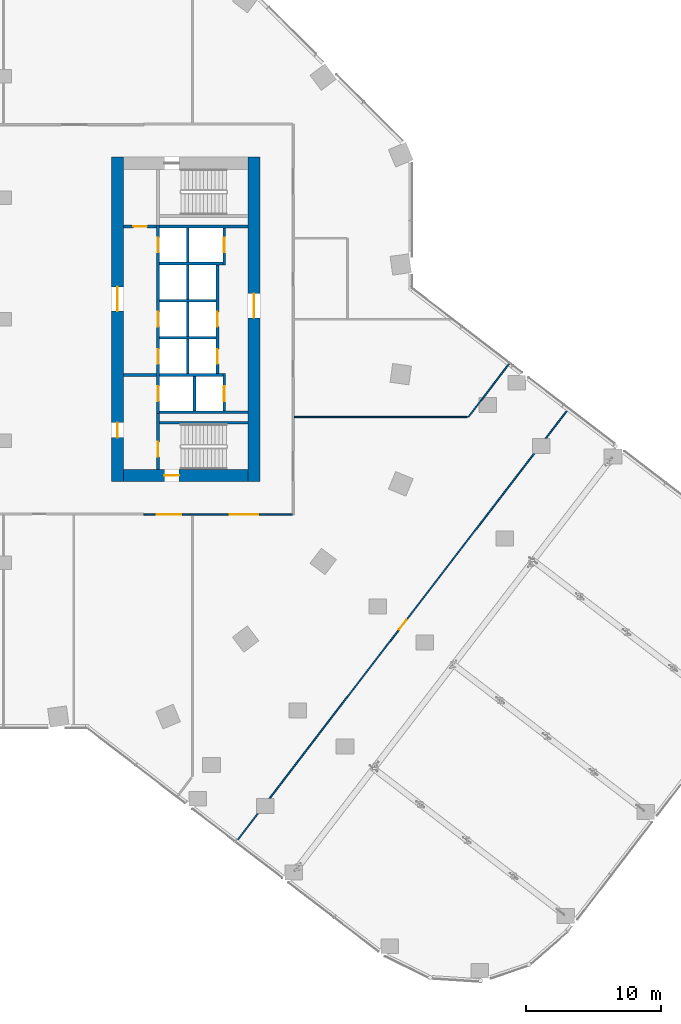
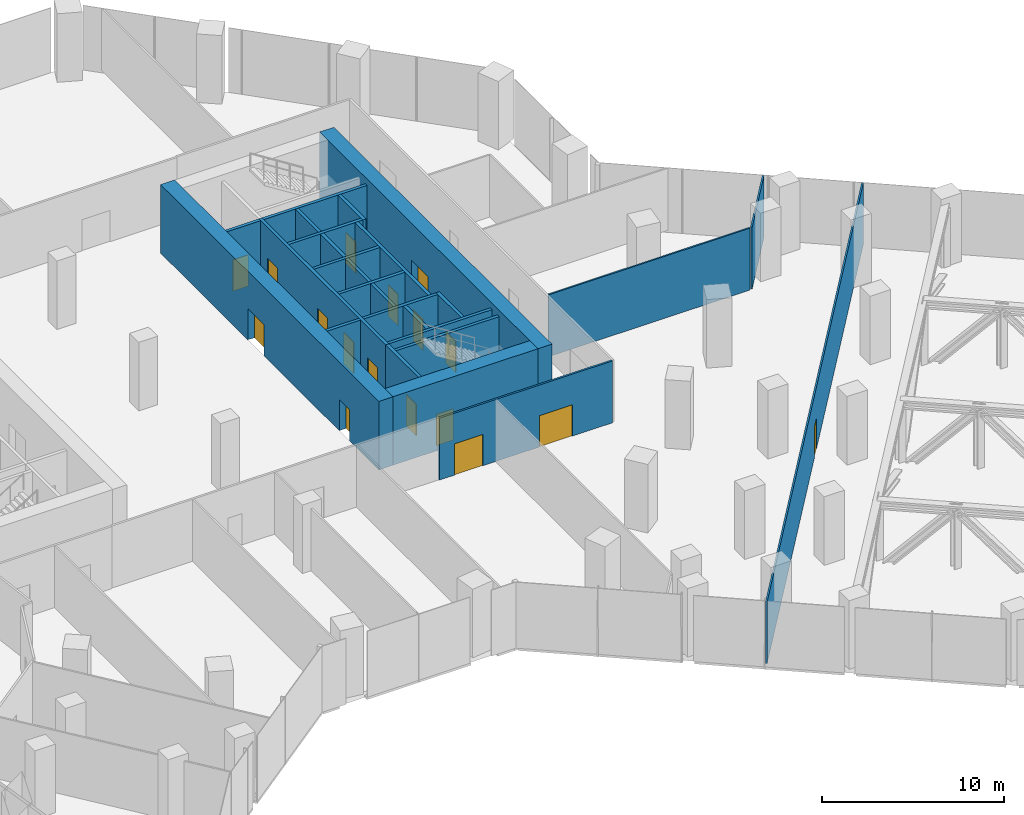
# One storey, part 26 of 30: 26 walls, 17 doors, 17 openings.
"""IFC4 building model written with IfcOpenShell, lengths in metres."""

from ifc_helpers import new_model, si_unit, direction, frame, frame_2d, origin, place, context, subcontext, project, spatial, rectangle, extrude, material, layer, layer_set, type_object, element, fill, save


model = new_model("IFC4")

# Units and contexts
model_context = context("Model", 3, precision=1e-05, world=origin(), true_north=direction((0.0, 1.0)))
body_context = subcontext(model_context, "Body", "Model", "MODEL_VIEW")
ifc_project = project(units=[si_unit("LENGTHUNIT", "METRE"), si_unit("AREAUNIT", "SQUARE_METRE"), si_unit("VOLUMEUNIT", "CUBIC_METRE"), si_unit("PLANEANGLEUNIT", "RADIAN"), si_unit("MASSUNIT", "GRAM", prefix="KILO")], contexts=[model_context])

# Site, building, storey
site_placement = place(None, origin())
site = spatial("IfcSite", under=ifc_project, at=site_placement, CompositionType="ELEMENT")
building_placement = place(site_placement, origin())
building = spatial("IfcBuilding", under=site, at=building_placement, Name="Orlundy Tower", CompositionType="ELEMENT")
storey_placement = place(building_placement, frame((0.0, 0.0, 20.5)))
storey = spatial("IfcBuildingStorey", under=building, at=storey_placement, Name="L03", CompositionType="ELEMENT", Elevation=20.5)

# Wall, opening, door
ifc_material_1 = material(Name="Concrete C80/95", Category="concrete")
ifc_layer_1 = layer(ifc_material_1, 0.89990234375)
ifc_layer_set_1 = layer_set([ifc_layer_1], Name="CORE WALL 900 C80/95")
wall_type_1 = type_object("IfcWallType", Name="CORE WALL 900 C80/95", PredefinedType="SHEAR", material=ifc_layer_set_1)
wall_1_placement = place(storey_placement, frame((8.89990234375, -11.550048828125, 0.0), z_axis=(0.0, 0.0, 1.0), x_axis=(1.0, 0.0, 0.0)))
wall_1 = element("IfcWall", 1, at=wall_1_placement, inside=storey, type_object=wall_type_1, Name="Core wall E-S L03", PredefinedType="SHEAR", context=body_context, shape_type="SweptSolid", body=[
    extrude(rectangle(XDim=9.2001953125, YDim=0.89990234375, at=frame_2d((4.60009765625, 0.0))), origin(), (0.0, 0.0, 1.0), 4.60009765625),
])
opening_1_placement = place(wall_1_placement, frame((3.0, 0.0, 0.0)))
opening_1 = element("IfcOpeningElement", 2, at=opening_1_placement, cuts=wall_1, Name="Opening 04061", PredefinedType="OPENING", context=body_context, shape_type="SweptSolid", body=[
    extrude(rectangle(XDim=1.10009765625, YDim=2.10009765625, at=frame_2d((0.550048828125, 1.050048828125))), frame((0.0, 0.4599609375, 0.0), z_axis=(0.0, -1.0, 0.0), x_axis=(1.0, 0.0, 0.0)), (0.0, 0.0, 1.0), 0.919921875),
])
ifc_material_2 = material(Name="Steel door set", Category="steel")
door_type_1 = type_object("IfcDoorType", Name="Stair Door 1100x2100", OperationType="SINGLE_SWING_LEFT", PredefinedType="DOOR", material=ifc_material_2)
door_1_placement = place(opening_1_placement, origin())
door_1 = element("IfcDoor", 3, at=door_1_placement, inside=storey, type_object=door_type_1, Name="Stair door 04061", OperationType="SINGLE_SWING_LEFT", OverallHeight=2.10009765625, OverallWidth=1.10009765625, PredefinedType="DOOR", context=body_context, shape_type="SweptSolid", body=[
    extrude(rectangle(XDim=1.10009765625, YDim=2.10009765625, at=frame_2d((0.550048828125, 1.050048828125))), frame((0.0, 0.02490234375, 0.0), z_axis=(0.0, -1.0, 0.0), x_axis=(1.0, 0.0, 0.0)), (0.0, 0.0, 1.0), 0.050048828125),
])
fill(opening_1, door_1)

# Wall, openings, doors
wall_2_placement = place(storey_placement, frame((8.449951171875, -12.0, 0.0), z_axis=(0.0, 0.0, 1.0), x_axis=(0.0, 1.0, 0.0)))
wall_2 = element("IfcWall", 4, at=wall_2_placement, inside=storey, type_object=wall_type_1, Name="Core wall E-W L03", PredefinedType="SHEAR", context=body_context, shape_type="SweptSolid", body=[
    extrude(rectangle(XDim=24.0, YDim=0.89990234375, at=frame_2d((12.0, 0.0))), origin(), (0.0, 0.0, 1.0), 4.60009765625),
])
opening_2_placement = place(wall_2_placement, frame((12.60009765625, 0.0, 0.0)))
opening_2 = element("IfcOpeningElement", 5, at=opening_2_placement, cuts=wall_2, Name="Opening 04058", PredefinedType="OPENING", context=body_context, shape_type="SweptSolid", body=[
    extrude(rectangle(XDim=1.800048828125, YDim=2.10009765625, at=frame_2d((0.89990234375, 1.050048828125))), frame((0.0, 0.4599609375, 0.0), z_axis=(0.0, -1.0, 0.0), x_axis=(1.0, 0.0, 0.0)), (0.0, 0.0, 1.0), 0.919921875),
])
opening_3_placement = place(wall_2_placement, frame((3.25, 0.0, 0.0)))
opening_3 = element("IfcOpeningElement", 6, at=opening_3_placement, cuts=wall_2, Name="Opening 04060", PredefinedType="OPENING", context=body_context, shape_type="SweptSolid", body=[
    extrude(rectangle(XDim=1.10009765625, YDim=2.10009765625, at=frame_2d((0.550048828125, 1.050048828125))), frame((0.0, 0.4599609375, 0.0), z_axis=(0.0, -1.0, 0.0), x_axis=(1.0, 0.0, 0.0)), (0.0, 0.0, 1.0), 0.919921875),
])
ifc_material_3 = material(Name="Steel door set", Category="steel")
door_type_2 = type_object("IfcDoorType", Name="Fire-fighting Lobby Door 1100x2100", OperationType="SINGLE_SWING_LEFT", PredefinedType="DOOR", material=ifc_material_3)
door_2_placement = place(opening_3_placement, origin())
door_2 = element("IfcDoor", 7, at=door_2_placement, inside=storey, type_object=door_type_2, Name="Fire-fighting lobby door 04060", OperationType="SINGLE_SWING_LEFT", OverallHeight=2.10009765625, OverallWidth=1.10009765625, PredefinedType="DOOR", context=body_context, shape_type="SweptSolid", body=[
    extrude(rectangle(XDim=1.10009765625, YDim=2.10009765625, at=frame_2d((0.550048828125, 1.050048828125))), frame((0.0, 0.02490234375, 0.0), z_axis=(0.0, -1.0, 0.0), x_axis=(1.0, 0.0, 0.0)), (0.0, 0.0, 1.0), 0.050048828125),
])
fill(opening_3, door_2)
ifc_material_4 = material(Name="Timber door set", Category="wood")
door_type_3 = type_object("IfcDoorType", Name="Lobby Door 1800x2100", OperationType="DOUBLE_DOOR_DOUBLE_SWING", PredefinedType="DOOR", material=ifc_material_4)
door_3_placement = place(opening_2_placement, origin())
door_3 = element("IfcDoor", 8, at=door_3_placement, inside=storey, type_object=door_type_3, Name="Lift lobby door 04058", OperationType="SINGLE_SWING_RIGHT", OverallHeight=2.10009765625, OverallWidth=1.800048828125, PredefinedType="DOOR", context=body_context, shape_type="SweptSolid", body=[
    extrude(rectangle(XDim=1.800048828125, YDim=2.10009765625, at=frame_2d((0.89990234375, 1.050048828125))), frame((0.0, 0.02490234375, 0.0), z_axis=(0.0, -1.0, 0.0), x_axis=(1.0, 0.0, 0.0)), (0.0, 0.0, 1.0), 0.050048828125),
])
fill(opening_2, door_3)

# Wall, opening, door
wall_3_placement = place(storey_placement, frame((18.550048828125, -12.0, 0.0), z_axis=(0.0, 0.0, 1.0), x_axis=(0.0, 1.0, 0.0)))
wall_3 = element("IfcWall", 9, at=wall_3_placement, inside=storey, type_object=wall_type_1, Name="Core wall E-E L03", PredefinedType="SHEAR", context=body_context, shape_type="SweptSolid", body=[
    extrude(rectangle(XDim=24.0, YDim=0.89990234375, at=frame_2d((12.0, 0.0))), origin(), (0.0, 0.0, 1.0), 4.60009765625),
])
opening_4_placement = place(wall_3_placement, frame((12.10009765625, 0.0, 0.0)))
opening_4 = element("IfcOpeningElement", 10, at=opening_4_placement, cuts=wall_3, Name="Opening 04059", PredefinedType="OPENING", context=body_context, shape_type="SweptSolid", body=[
    extrude(rectangle(XDim=1.800048828125, YDim=2.10009765625, at=frame_2d((0.89990234375, 1.050048828125))), frame((0.0, 0.4599609375, 0.0), z_axis=(0.0, -1.0, 0.0), x_axis=(1.0, 0.0, 0.0)), (0.0, 0.0, 1.0), 0.919921875),
])
door_4_placement = place(opening_4_placement, origin())
door_4 = element("IfcDoor", 11, at=door_4_placement, inside=storey, type_object=door_type_3, Name="Lift lobby door 04059", OperationType="SINGLE_SWING_RIGHT", OverallHeight=2.10009765625, OverallWidth=1.800048828125, PredefinedType="DOOR", context=body_context, shape_type="SweptSolid", body=[
    extrude(rectangle(XDim=1.800048828125, YDim=2.10009765625, at=frame_2d((0.89990234375, 1.050048828125))), frame((0.0, 0.02490234375, 0.0), z_axis=(0.0, -1.0, 0.0), x_axis=(1.0, 0.0, 0.0)), (0.0, 0.0, 1.0), 0.050048828125),
])
fill(opening_4, door_4)

# Wall
ifc_material_5 = material(Name="Gypsum board partition")
ifc_layer_2 = layer(ifc_material_5, 0.10009765625)
ifc_layer_set_2 = layer_set([ifc_layer_2], Name="Floor partition 100")
wall_type_2 = type_object("IfcWallType", Name="Floor partition 100", PredefinedType="PARTITIONING", material=ifc_layer_set_2)
wall_4_placement = place(storey_placement, frame((21.511962890625, -7.22412109375, 0.0), z_axis=(0.0, 0.0, 1.0), x_axis=(1.0, 0.0, 0.0)))
element("IfcWall", 12, at=wall_4_placement, inside=storey, type_object=wall_type_2, Name="wall-int-L03-027", PredefinedType="PARTITIONING", context=body_context, shape_type="SweptSolid", body=[
    extrude(rectangle(XDim=12.7939453125, YDim=0.10009765625, at=frame_2d((6.39697265625, 0.0))), origin(), (0.0, 0.0, 1.0), 4.159912109375),
])

# Wall, opening, door
wall_5_placement = place(storey_placement, frame((41.840087890625, -6.580078125, 0.0), z_axis=(0.0, 0.0, 1.0), x_axis=(-0.608763818445, -0.793351506807, 0.0)))
wall_5 = element("IfcWall", 13, at=wall_5_placement, inside=storey, type_object=wall_type_2, Name="wall-int-L03-052", PredefinedType="PARTITIONING", context=body_context, shape_type="SweptSolid", body=[
    extrude(rectangle(XDim=40.500244140625, YDim=0.10009765625, at=frame_2d((20.25, 0.0))), origin(), (0.0, 0.0, 1.0), 4.159912109375),
])
opening_5_placement = place(wall_5_placement, frame((19.750244140625, 0.0, 0.0)))
opening_5 = element("IfcOpeningElement", 14, at=opening_5_placement, cuts=wall_5, Name="Opening 04100", PredefinedType="OPENING", context=body_context, shape_type="SweptSolid", body=[
    extrude(rectangle(XDim=0.89990234375, YDim=2.10009765625, at=frame_2d((0.449951171875, 1.050048828125))), frame((0.0, 0.06005859375, 0.0), z_axis=(0.0, -1.0, 0.0), x_axis=(1.0, 0.0, 0.0)), (0.0, 0.0, 1.0), 0.1201171875),
])
ifc_material_6 = material(Name="Timber door leaf", Category="wood")
door_type_4 = type_object("IfcDoorType", Name="Floor door single 900 FD30", OperationType="NOTDEFINED", PredefinedType="DOOR", material=ifc_material_6)
door_5_placement = place(opening_5_placement, origin())
door_5 = element("IfcDoor", 15, at=door_5_placement, inside=storey, type_object=door_type_4, Name="Door 04100", OperationType="SINGLE_SWING_LEFT", OverallHeight=2.10009765625, OverallWidth=0.89990234375, PredefinedType="DOOR", context=body_context, shape_type="SweptSolid", body=[
    extrude(rectangle(XDim=0.89990234375, YDim=2.10009765625, at=frame_2d((0.449951171875, 1.050048828125))), frame((0.0, 0.02490234375, 0.0), z_axis=(0.0, -1.0, 0.0), x_axis=(1.0, 0.0, 0.0)), (0.0, 0.0, 1.0), 0.050048828125),
])
fill(opening_5, door_5)

# Wall
wall_6_placement = place(storey_placement, frame((34.406982421875, -7.22412109375, 0.0), z_axis=(0.0, 0.0, 1.0), x_axis=(0.608468185558, 0.793578267825, 0.0)))
element("IfcWall", 16, at=wall_6_placement, inside=storey, type_object=wall_type_2, Name="wall-int-L03-054", PredefinedType="PARTITIONING", context=body_context, shape_type="SweptSolid", body=[
    extrude(rectangle(XDim=5.03564453125, YDim=0.10009765625, at=frame_2d((2.517822265625, 0.0))), origin(), (0.0, 0.0, 1.0), 4.159912109375),
])

# Wall, openings, doors
ifc_material_7 = material(Name="Gypsum board partition, double layer")
ifc_layer_3 = layer(ifc_material_7, 0.125)
ifc_layer_set_3 = layer_set([ifc_layer_3], Name="Floor partition 125")
wall_type_3 = type_object("IfcWallType", Name="Floor partition 125", PredefinedType="PARTITIONING", material=ifc_layer_set_3)
wall_7_placement = place(storey_placement, frame((21.386962890625, -14.450927734375, 0.0), z_axis=(0.0, 0.0, 1.0), x_axis=(-1.0, 0.0, 0.0)))
wall_7 = element("IfcWall", 17, at=wall_7_placement, inside=storey, type_object=wall_type_3, Name="wall-int-L03-025", PredefinedType="PARTITIONING", context=body_context, shape_type="SweptSolid", body=[
    extrude(rectangle(XDim=10.995849609375, YDim=0.125, at=frame_2d((5.498046875, 0.0))), origin(), (0.0, 0.0, 1.0), 4.159912109375),
])
opening_6_placement = place(wall_7_placement, frame((8.237548828125, 0.0, 0.0)))
opening_6 = element("IfcOpeningElement", 18, at=opening_6_placement, cuts=wall_7, Name="Opening 04120", PredefinedType="OPENING", context=body_context, shape_type="SweptSolid", body=[
    extrude(rectangle(XDim=1.800048828125, YDim=2.10009765625, at=frame_2d((0.89990234375, 1.050048828125))), frame((0.0, 0.072509765625, 0.0), z_axis=(0.0, -1.0, 0.0), x_axis=(1.0, 0.0, 0.0)), (0.0, 0.0, 1.0), 0.14501953125),
])
opening_7_placement = place(wall_7_placement, frame((2.53759765625, 0.0, 0.0)))
opening_7 = element("IfcOpeningElement", 19, at=opening_7_placement, cuts=wall_7, Name="Opening 04121", PredefinedType="OPENING", context=body_context, shape_type="SweptSolid", body=[
    extrude(rectangle(XDim=2.10009765625, YDim=2.10009765625, at=frame_2d((1.050048828125, 1.050048828125))), frame((0.0, 0.072509765625, 0.0), z_axis=(0.0, -1.0, 0.0), x_axis=(1.0, 0.0, 0.0)), (0.0, 0.0, 1.0), 0.14501953125),
])
ifc_material_8 = material(Name="Timber door leaf", Category="wood")
door_type_5 = type_object("IfcDoorType", Name="Floor door double 1800 FD30S", OperationType="NOTDEFINED", PredefinedType="DOOR", material=ifc_material_8)
door_6_placement = place(opening_6_placement, origin())
door_6 = element("IfcDoor", 20, at=door_6_placement, inside=storey, type_object=door_type_5, Name="Door 04120", OperationType="DOUBLE_DOOR_SINGLE_SWING", OverallHeight=2.10009765625, OverallWidth=1.800048828125, PredefinedType="DOOR", context=body_context, shape_type="SweptSolid", body=[
    extrude(rectangle(XDim=1.800048828125, YDim=2.10009765625, at=frame_2d((0.89990234375, 1.050048828125))), frame((0.0, 0.02490234375, 0.0), z_axis=(0.0, -1.0, 0.0), x_axis=(1.0, 0.0, 0.0)), (0.0, 0.0, 1.0), 0.050048828125),
])
fill(opening_6, door_6)
ifc_material_9 = material(Name="Timber door leaf", Category="wood")
door_type_6 = type_object("IfcDoorType", Name="Floor door double 2100 FD30S", OperationType="NOTDEFINED", PredefinedType="DOOR", material=ifc_material_9)
door_7_placement = place(opening_7_placement, origin())
door_7 = element("IfcDoor", 21, at=door_7_placement, inside=storey, type_object=door_type_6, Name="Door 04121", OperationType="DOUBLE_DOOR_SINGLE_SWING", OverallHeight=2.10009765625, OverallWidth=2.10009765625, PredefinedType="DOOR", context=body_context, shape_type="SweptSolid", body=[
    extrude(rectangle(XDim=2.10009765625, YDim=2.10009765625, at=frame_2d((1.050048828125, 1.050048828125))), frame((0.0, 0.02490234375, 0.0), z_axis=(0.0, -1.0, 0.0), x_axis=(1.0, 0.0, 0.0)), (0.0, 0.0, 1.0), 0.050048828125),
])
fill(opening_7, door_7)

# Wall, opening, door
ifc_material_10 = material(Name="Concrete C40/50", Category="concrete")
ifc_layer_4 = layer(ifc_material_10, 0.199951171875)
ifc_layer_set_4 = layer_set([ifc_layer_4], Name="Load-bearing Shaft Wall 200")
wall_type_4 = type_object("IfcWallType", Name="Load-bearing Shaft Wall 200", PredefinedType="SOLIDWALL", material=ifc_layer_set_4)
wall_8_placement = place(storey_placement, frame((11.43994140625, -6.97509765625, 0.0), z_axis=(0.0, 0.0, 1.0), x_axis=(0.0, -1.0, 0.0)))
wall_8 = element("IfcWall", 22, at=wall_8_placement, inside=storey, type_object=wall_type_4, Name="Shaft wall E04-stair-end-n", PredefinedType="SOLIDWALL", context=body_context, shape_type="SweptSolid", body=[
    extrude(rectangle(XDim=4.125, YDim=0.199951171875, at=frame_2d((2.0625, 0.0))), origin(), (0.0, 0.0, 1.0), 4.179931640625),
])
opening_8_placement = place(wall_8_placement, frame((2.10009765625, 0.0, 0.0)))
opening_8 = element("IfcOpeningElement", 23, at=opening_8_placement, cuts=wall_8, Name="Opening 04063", PredefinedType="OPENING", context=body_context, shape_type="SweptSolid", body=[
    extrude(rectangle(XDim=1.10009765625, YDim=2.10009765625, at=frame_2d((0.550048828125, 1.050048828125))), frame((0.0, 0.110107421875, 0.0), z_axis=(0.0, -1.0, 0.0), x_axis=(1.0, 0.0, 0.0)), (0.0, 0.0, 1.0), 0.22021484375),
])
door_8_placement = place(opening_8_placement, origin())
door_8 = element("IfcDoor", 24, at=door_8_placement, inside=storey, type_object=door_type_2, Name="Fire-fighting lobby to stair door 04063", OperationType="SINGLE_SWING_RIGHT", OverallHeight=2.10009765625, OverallWidth=1.10009765625, PredefinedType="DOOR", context=body_context, shape_type="SweptSolid", body=[
    extrude(rectangle(XDim=1.10009765625, YDim=2.10009765625, at=frame_2d((0.550048828125, 1.050048828125))), frame((0.0, 0.02490234375, 0.0), z_axis=(0.0, -1.0, 0.0), x_axis=(1.0, 0.0, 0.0)), (0.0, 0.0, 1.0), 0.050048828125),
])
fill(opening_8, door_8)

# Walls
wall_9_placement = place(storey_placement, frame((11.5400390625, -7.64990234375, 0.0), z_axis=(0.0, 0.0, 1.0), x_axis=(1.0, 0.0, 0.0)))
element("IfcWall", 25, at=wall_9_placement, inside=storey, type_object=wall_type_4, Name="Shaft wall E04-stair-side-n", PredefinedType="SOLIDWALL", context=body_context, shape_type="SweptSolid", body=[
    extrude(rectangle(XDim=6.56005859375, YDim=0.199951171875, at=frame_2d((3.280029296875, 0.0))), origin(), (0.0, 0.0, 1.0), 4.179931640625),
])
ifc_material_11 = material(Name="Gypsum board partition on steel studs", Category="steel")
ifc_layer_5 = layer(ifc_material_11, 0.199951171875)
ifc_layer_set_5 = layer_set([ifc_layer_5], Name="Partition 200")
wall_type_5 = type_object("IfcWallType", Name="Partition 200", PredefinedType="PARTITIONING", material=ifc_layer_set_5)
wall_10_placement = place(storey_placement, frame((8.89990234375, -4.125, 0.0), z_axis=(0.0, 0.0, 1.0), x_axis=(1.0, 0.0, 0.0)))
element("IfcWall", 26, at=wall_10_placement, inside=storey, type_object=wall_type_5, Name="Partition wall E04-lobby-n", PredefinedType="PARTITIONING", context=body_context, shape_type="SweptSolid", body=[
    extrude(rectangle(XDim=2.440185546875, YDim=0.199951171875, at=frame_2d((1.22021484375, 0.0))), origin(), (0.0, 0.0, 1.0), 4.179931640625),
])

# Wall, opening, door
wall_11_placement = place(storey_placement, frame((8.89990234375, 6.875, 0.0), z_axis=(0.0, 0.0, 1.0), x_axis=(1.0, 0.0, 0.0)))
wall_11 = element("IfcWall", 27, at=wall_11_placement, inside=storey, type_object=wall_type_5, Name="Partition wall E04-end-s", PredefinedType="PARTITIONING", context=body_context, shape_type="SweptSolid", body=[
    extrude(rectangle(XDim=2.440185546875, YDim=0.199951171875, at=frame_2d((1.22021484375, 0.0))), origin(), (0.0, 0.0, 1.0), 4.179931640625),
])
opening_9_placement = place(wall_11_placement, frame((0.719970703125, 0.0, 0.0)))
opening_9 = element("IfcOpeningElement", 28, at=opening_9_placement, cuts=wall_11, Name="Opening 04064", PredefinedType="OPENING", context=body_context, shape_type="SweptSolid", body=[
    extrude(rectangle(XDim=1.0, YDim=2.10009765625, at=frame_2d((0.5, 1.050048828125))), frame((0.0, 0.110107421875, 0.0), z_axis=(0.0, -1.0, 0.0), x_axis=(1.0, 0.0, 0.0)), (0.0, 0.0, 1.0), 0.22021484375),
])
ifc_material_12 = material(Name="Timber door set", Category="wood")
door_type_7 = type_object("IfcDoorType", Name="Accessible Door 1000x2100", OperationType="SINGLE_SWING_LEFT", PredefinedType="DOOR", material=ifc_material_12)
door_9_placement = place(opening_9_placement, origin())
door_9 = element("IfcDoor", 29, at=door_9_placement, inside=storey, type_object=door_type_7, Name="Accessible WC door 04064", OperationType="SINGLE_SWING_RIGHT", OverallHeight=2.10009765625, OverallWidth=1.0, PredefinedType="DOOR", context=body_context, shape_type="SweptSolid", body=[
    extrude(rectangle(XDim=1.0, YDim=2.10009765625, at=frame_2d((0.5, 1.050048828125))), frame((0.0, 0.02490234375, 0.0), z_axis=(0.0, -1.0, 0.0), x_axis=(1.0, 0.0, 0.0)), (0.0, 0.0, 1.0), 0.050048828125),
])
fill(opening_9, door_9)

# Walls
ifc_material_13 = material(Name="Fire-rated blockwork shaft wall", Category="masonry")
ifc_layer_6 = layer(ifc_material_13, 0.199951171875)
ifc_layer_set_6 = layer_set([ifc_layer_6], Name="Shaft Wall 200")
wall_type_6 = type_object("IfcWallType", Name="Shaft Wall 200", PredefinedType="SOLIDWALL", material=ifc_layer_set_6)
for number, where, z_axis, x_axis, name in (
    (30, (11.5400390625, -6.875, 0.0), (0.0, 0.0, 1.0), (1.0, 0.0, 0.0), "Shaft wall E04-zone-n"),
    (31, (11.5400390625, 6.875, 0.0), (0.0, 0.0, 1.0), (1.0, 0.0, 0.0), "Shaft wall E04-zone-s"),
):
    element("IfcWall", number, at=place(storey_placement, frame(where, z_axis=z_axis, x_axis=x_axis)), inside=storey, type_object=wall_type_6, Name=name, PredefinedType="SOLIDWALL", context=body_context, shape_type="SweptSolid", body=[
        extrude(rectangle(XDim=6.56005859375, YDim=0.199951171875, at=frame_2d((3.280029296875, 0.0))), origin(), (0.0, 0.0, 1.0), 4.179931640625),
    ])
wall_12_placement = place(storey_placement, frame((11.5400390625, 4.125, 0.0), z_axis=(0.0, 0.0, 1.0), x_axis=(1.0, 0.0, 0.0)))
element("IfcWall", 32, at=wall_12_placement, inside=storey, type_object=wall_type_6, Name="Shaft wall E04-cross-4.125", PredefinedType="SOLIDWALL", context=body_context, shape_type="SweptSolid", body=[
    extrude(rectangle(XDim=4.699951171875, YDim=0.199951171875, at=frame_2d((2.35009765625, 0.0))), origin(), (0.0, 0.0, 1.0), 4.179931640625),
])
for number, where, z_axis, x_axis, name in (
    (33, (11.5400390625, 1.375, 0.0), (0.0, 0.0, 1.0), (1.0, 0.0, 0.0), "Shaft wall E04-cross-1.375"),
    (34, (11.5400390625, -1.375, 0.0), (0.0, 0.0, 1.0), (1.0, 0.0, 0.0), "Shaft wall E04-cross+1.375"),
):
    element("IfcWall", number, at=place(storey_placement, frame(where, z_axis=z_axis, x_axis=x_axis)), inside=storey, type_object=wall_type_6, Name=name, PredefinedType="SOLIDWALL", context=body_context, shape_type="SweptSolid", body=[
        extrude(rectangle(XDim=4.199951171875, YDim=0.199951171875, at=frame_2d((2.10009765625, 0.0))), origin(), (0.0, 0.0, 1.0), 4.179931640625),
    ])
wall_13_placement = place(storey_placement, frame((11.5400390625, -4.125, 0.0), z_axis=(0.0, 0.0, 1.0), x_axis=(1.0, 0.0, 0.0)))
element("IfcWall", 35, at=wall_13_placement, inside=storey, type_object=wall_type_6, Name="Shaft wall E04-cross+4.125", PredefinedType="SOLIDWALL", context=body_context, shape_type="SweptSolid", body=[
    extrude(rectangle(XDim=4.699951171875, YDim=0.199951171875, at=frame_2d((2.35009765625, 0.0))), origin(), (0.0, 0.0, 1.0), 4.179931640625),
])

# Wall, openings, doors
wall_14_placement = place(storey_placement, frame((11.43994140625, 6.97509765625, 0.0), z_axis=(0.0, 0.0, 1.0), x_axis=(0.0, -1.0, 0.0)))
wall_14 = element("IfcWall", 36, at=wall_14_placement, inside=storey, type_object=wall_type_6, Name="Shaft wall E04-front-h", PredefinedType="SOLIDWALL", context=body_context, shape_type="SweptSolid", body=[
    extrude(rectangle(XDim=13.9501953125, YDim=0.199951171875, at=frame_2d((6.97509765625, 0.0))), origin(), (0.0, 0.0, 1.0), 4.179931640625),
])
opening_10_placement = place(wall_14_placement, frame((0.925048828125, 0.0, 0.0)))
opening_10 = element("IfcOpeningElement", 37, at=opening_10_placement, cuts=wall_14, Name="Opening 04050", PredefinedType="OPENING", context=body_context, shape_type="SweptSolid", body=[
    extrude(rectangle(XDim=1.10009765625, YDim=2.10009765625, at=frame_2d((0.550048828125, 1.050048828125))), frame((0.0, 0.110107421875, 0.0), z_axis=(0.0, -1.0, 0.0), x_axis=(1.0, 0.0, 0.0)), (0.0, 0.0, 1.0), 0.22021484375),
])
opening_11_placement = place(wall_14_placement, frame((6.425048828125, 0.0, 0.0)))
opening_11 = element("IfcOpeningElement", 38, at=opening_11_placement, cuts=wall_14, Name="Opening 04052", PredefinedType="OPENING", context=body_context, shape_type="SweptSolid", body=[
    extrude(rectangle(XDim=1.10009765625, YDim=2.10009765625, at=frame_2d((0.550048828125, 1.050048828125))), frame((0.0, 0.110107421875, 0.0), z_axis=(0.0, -1.0, 0.0), x_axis=(1.0, 0.0, 0.0)), (0.0, 0.0, 1.0), 0.22021484375),
])
opening_12_placement = place(wall_14_placement, frame((9.175048828125, 0.0, 0.0)))
opening_12 = element("IfcOpeningElement", 39, at=opening_12_placement, cuts=wall_14, Name="Opening 04054", PredefinedType="OPENING", context=body_context, shape_type="SweptSolid", body=[
    extrude(rectangle(XDim=1.10009765625, YDim=2.10009765625, at=frame_2d((0.550048828125, 1.050048828125))), frame((0.0, 0.110107421875, 0.0), z_axis=(0.0, -1.0, 0.0), x_axis=(1.0, 0.0, 0.0)), (0.0, 0.0, 1.0), 0.22021484375),
])
opening_13_placement = place(wall_14_placement, frame((11.925048828125, 0.0, 0.0)))
opening_13 = element("IfcOpeningElement", 40, at=opening_13_placement, cuts=wall_14, Name="Opening 04056", PredefinedType="OPENING", context=body_context, shape_type="SweptSolid", body=[
    extrude(rectangle(XDim=1.10009765625, YDim=2.10009765625, at=frame_2d((0.550048828125, 1.050048828125))), frame((0.0, 0.110107421875, 0.0), z_axis=(0.0, -1.0, 0.0), x_axis=(1.0, 0.0, 0.0)), (0.0, 0.0, 1.0), 0.22021484375),
])
ifc_material_14 = material(Name="Steel door set", Category="steel")
door_type_8 = type_object("IfcDoorType", Name="Landing Door 1100x2100", OperationType="DOUBLE_DOOR_SLIDING", PredefinedType="DOOR", material=ifc_material_14)
door_10_placement = place(opening_10_placement, origin())
door_10 = element("IfcDoor", 41, at=door_10_placement, inside=storey, type_object=door_type_8, Name="Lift landing door LPD-02 04050", OperationType="DOUBLE_DOOR_SLIDING", OverallHeight=2.10009765625, OverallWidth=1.10009765625, PredefinedType="DOOR", context=body_context, shape_type="SweptSolid", body=[
    extrude(rectangle(XDim=1.10009765625, YDim=2.10009765625, at=frame_2d((0.550048828125, 1.050048828125))), frame((0.0, 0.02490234375, 0.0), z_axis=(0.0, -1.0, 0.0), x_axis=(1.0, 0.0, 0.0)), (0.0, 0.0, 1.0), 0.050048828125),
])
fill(opening_10, door_10)
door_11_placement = place(opening_11_placement, origin())
door_11 = element("IfcDoor", 42, at=door_11_placement, inside=storey, type_object=door_type_8, Name="Lift landing door LP-10 04052", OperationType="DOUBLE_DOOR_SLIDING", OverallHeight=2.10009765625, OverallWidth=1.10009765625, PredefinedType="DOOR", context=body_context, shape_type="SweptSolid", body=[
    extrude(rectangle(XDim=1.10009765625, YDim=2.10009765625, at=frame_2d((0.550048828125, 1.050048828125))), frame((0.0, 0.02490234375, 0.0), z_axis=(0.0, -1.0, 0.0), x_axis=(1.0, 0.0, 0.0)), (0.0, 0.0, 1.0), 0.050048828125),
])
fill(opening_11, door_11)
door_12_placement = place(opening_12_placement, origin())
door_12 = element("IfcDoor", 43, at=door_12_placement, inside=storey, type_object=door_type_8, Name="Lift landing door LP-07 04054", OperationType="DOUBLE_DOOR_SLIDING", OverallHeight=2.10009765625, OverallWidth=1.10009765625, PredefinedType="DOOR", context=body_context, shape_type="SweptSolid", body=[
    extrude(rectangle(XDim=1.10009765625, YDim=2.10009765625, at=frame_2d((0.550048828125, 1.050048828125))), frame((0.0, 0.02490234375, 0.0), z_axis=(0.0, -1.0, 0.0), x_axis=(1.0, 0.0, 0.0)), (0.0, 0.0, 1.0), 0.050048828125),
])
fill(opening_12, door_12)
door_13_placement = place(opening_13_placement, origin())
door_13 = element("IfcDoor", 44, at=door_13_placement, inside=storey, type_object=door_type_8, Name="Lift landing door FL2 04056", OperationType="DOUBLE_DOOR_SLIDING", OverallHeight=2.10009765625, OverallWidth=1.10009765625, PredefinedType="DOOR", context=body_context, shape_type="SweptSolid", body=[
    extrude(rectangle(XDim=1.10009765625, YDim=2.10009765625, at=frame_2d((0.550048828125, 1.050048828125))), frame((0.0, 0.02490234375, 0.0), z_axis=(0.0, -1.0, 0.0), x_axis=(1.0, 0.0, 0.0)), (0.0, 0.0, 1.0), 0.050048828125),
])
fill(opening_13, door_13)

# Walls
for number, where, z_axis, x_axis, name in (
    (45, (13.639892578125, 6.77490234375, 0.0), (0.0, 0.0, 1.0), (0.0, -1.0, 0.0), "Shaft wall E04-mid-a"),
    (46, (13.639892578125, 4.02490234375, 0.0), (0.0, 0.0, 1.0), (0.0, -1.0, 0.0), "Shaft wall E04-mid-a.1"),
    (47, (13.639892578125, 1.27490234375, 0.0), (0.0, 0.0, 1.0), (0.0, -1.0, 0.0), "Shaft wall E04-mid-a.2"),
    (48, (13.639892578125, -1.47509765625, 0.0), (0.0, 0.0, 1.0), (0.0, -1.0, 0.0), "Shaft wall E04-mid-a.3"),
    (49, (14.139892578125, -4.22509765625, 0.0), (0.0, 0.0, 1.0), (0.0, -1.0, 0.0), "Shaft wall E04-mid-b"),
):
    element("IfcWall", number, at=place(storey_placement, frame(where, z_axis=z_axis, x_axis=x_axis)), inside=storey, type_object=wall_type_6, Name=name, PredefinedType="SOLIDWALL", context=body_context, shape_type="SweptSolid", body=[
        extrude(rectangle(XDim=2.5498046875, YDim=0.199951171875, at=frame_2d((1.27490234375, 0.0))), origin(), (0.0, 0.0, 1.0), 4.179931640625),
    ])

# Wall, opening, door
wall_15_placement = place(storey_placement, frame((16.340087890625, 6.77490234375, 0.0), z_axis=(0.0, 0.0, 1.0), x_axis=(0.0, -1.0, 0.0)))
wall_15 = element("IfcWall", 50, at=wall_15_placement, inside=storey, type_object=wall_type_6, Name="Shaft wall E04-front-o-a", PredefinedType="SOLIDWALL", context=body_context, shape_type="SweptSolid", body=[
    extrude(rectangle(XDim=2.75, YDim=0.199951171875, at=frame_2d((1.375, 0.0))), origin(), (0.0, 0.0, 1.0), 4.179931640625),
])
opening_14_placement = place(wall_15_placement, frame((0.72509765625, 0.0, 0.0)))
opening_14 = element("IfcOpeningElement", 51, at=opening_14_placement, cuts=wall_15, Name="Opening 04051", PredefinedType="OPENING", context=body_context, shape_type="SweptSolid", body=[
    extrude(rectangle(XDim=1.10009765625, YDim=2.10009765625, at=frame_2d((0.550048828125, 1.050048828125))), frame((0.0, 0.110107421875, 0.0), z_axis=(0.0, -1.0, 0.0), x_axis=(1.0, 0.0, 0.0)), (0.0, 0.0, 1.0), 0.22021484375),
])
door_14_placement = place(opening_14_placement, origin())
door_14 = element("IfcDoor", 52, at=door_14_placement, inside=storey, type_object=door_type_8, Name="Lift landing door LV-02 04051", OperationType="DOUBLE_DOOR_SLIDING", OverallHeight=2.10009765625, OverallWidth=1.10009765625, PredefinedType="DOOR", context=body_context, shape_type="SweptSolid", body=[
    extrude(rectangle(XDim=1.10009765625, YDim=2.10009765625, at=frame_2d((0.550048828125, 1.050048828125))), frame((0.0, 0.02490234375, 0.0), z_axis=(0.0, -1.0, 0.0), x_axis=(1.0, 0.0, 0.0)), (0.0, 0.0, 1.0), 0.050048828125),
])
fill(opening_14, door_14)

# Wall, openings, doors
wall_16_placement = place(storey_placement, frame((15.840087890625, 4.02490234375, 0.0), z_axis=(0.0, 0.0, 1.0), x_axis=(0.0, -1.0, 0.0)))
wall_16 = element("IfcWall", 53, at=wall_16_placement, inside=storey, type_object=wall_type_6, Name="Shaft wall E04-front-o-b", PredefinedType="SOLIDWALL", context=body_context, shape_type="SweptSolid", body=[
    extrude(rectangle(XDim=8.0498046875, YDim=0.199951171875, at=frame_2d((4.02490234375, 0.0))), origin(), (0.0, 0.0, 1.0), 4.179931640625),
])
opening_15_placement = place(wall_16_placement, frame((3.47509765625, 0.0, 0.0)))
opening_15 = element("IfcOpeningElement", 54, at=opening_15_placement, cuts=wall_16, Name="Opening 04053", PredefinedType="OPENING", context=body_context, shape_type="SweptSolid", body=[
    extrude(rectangle(XDim=1.10009765625, YDim=2.10009765625, at=frame_2d((0.550048828125, 1.050048828125))), frame((0.0, 0.110107421875, 0.0), z_axis=(0.0, -1.0, 0.0), x_axis=(1.0, 0.0, 0.0)), (0.0, 0.0, 1.0), 0.22021484375),
])
opening_16_placement = place(wall_16_placement, frame((6.22509765625, 0.0, 0.0)))
opening_16 = element("IfcOpeningElement", 55, at=opening_16_placement, cuts=wall_16, Name="Opening 04055", PredefinedType="OPENING", context=body_context, shape_type="SweptSolid", body=[
    extrude(rectangle(XDim=1.10009765625, YDim=2.10009765625, at=frame_2d((0.550048828125, 1.050048828125))), frame((0.0, 0.110107421875, 0.0), z_axis=(0.0, -1.0, 0.0), x_axis=(1.0, 0.0, 0.0)), (0.0, 0.0, 1.0), 0.22021484375),
])
door_15_placement = place(opening_15_placement, origin())
door_15 = element("IfcDoor", 56, at=door_15_placement, inside=storey, type_object=door_type_8, Name="Lift landing door LP-06 04053", OperationType="DOUBLE_DOOR_SLIDING", OverallHeight=2.10009765625, OverallWidth=1.10009765625, PredefinedType="DOOR", context=body_context, shape_type="SweptSolid", body=[
    extrude(rectangle(XDim=1.10009765625, YDim=2.10009765625, at=frame_2d((0.550048828125, 1.050048828125))), frame((0.0, 0.02490234375, 0.0), z_axis=(0.0, -1.0, 0.0), x_axis=(1.0, 0.0, 0.0)), (0.0, 0.0, 1.0), 0.050048828125),
])
fill(opening_15, door_15)
door_16_placement = place(opening_16_placement, origin())
door_16 = element("IfcDoor", 57, at=door_16_placement, inside=storey, type_object=door_type_8, Name="Lift landing door LP-08 04055", OperationType="DOUBLE_DOOR_SLIDING", OverallHeight=2.10009765625, OverallWidth=1.10009765625, PredefinedType="DOOR", context=body_context, shape_type="SweptSolid", body=[
    extrude(rectangle(XDim=1.10009765625, YDim=2.10009765625, at=frame_2d((0.550048828125, 1.050048828125))), frame((0.0, 0.02490234375, 0.0), z_axis=(0.0, -1.0, 0.0), x_axis=(1.0, 0.0, 0.0)), (0.0, 0.0, 1.0), 0.050048828125),
])
fill(opening_16, door_16)

# Wall, opening, door
wall_17_placement = place(storey_placement, frame((16.340087890625, -4.02490234375, 0.0), z_axis=(0.0, 0.0, 1.0), x_axis=(0.0, -1.0, 0.0)))
wall_17 = element("IfcWall", 58, at=wall_17_placement, inside=storey, type_object=wall_type_6, Name="Shaft wall E04-front-o-c", PredefinedType="SOLIDWALL", context=body_context, shape_type="SweptSolid", body=[
    extrude(rectangle(XDim=2.75, YDim=0.199951171875, at=frame_2d((1.375, 0.0))), origin(), (0.0, 0.0, 1.0), 4.179931640625),
])
opening_17_placement = place(wall_17_placement, frame((0.925048828125, 0.0, 0.0)))
opening_17 = element("IfcOpeningElement", 59, at=opening_17_placement, cuts=wall_17, Name="Opening 04057", PredefinedType="OPENING", context=body_context, shape_type="SweptSolid", body=[
    extrude(rectangle(XDim=1.10009765625, YDim=2.10009765625, at=frame_2d((0.550048828125, 1.050048828125))), frame((0.0, 0.110107421875, 0.0), z_axis=(0.0, -1.0, 0.0), x_axis=(1.0, 0.0, 0.0)), (0.0, 0.0, 1.0), 0.22021484375),
])
door_17_placement = place(opening_17_placement, origin())
door_17 = element("IfcDoor", 60, at=door_17_placement, inside=storey, type_object=door_type_8, Name="Lift landing door LP-09 04057", OperationType="DOUBLE_DOOR_SLIDING", OverallHeight=2.10009765625, OverallWidth=1.10009765625, PredefinedType="DOOR", context=body_context, shape_type="SweptSolid", body=[
    extrude(rectangle(XDim=1.10009765625, YDim=2.10009765625, at=frame_2d((0.550048828125, 1.050048828125))), frame((0.0, 0.02490234375, 0.0), z_axis=(0.0, -1.0, 0.0), x_axis=(1.0, 0.0, 0.0)), (0.0, 0.0, 1.0), 0.050048828125),
])
fill(opening_17, door_17)

save(model, "model.ifc")
